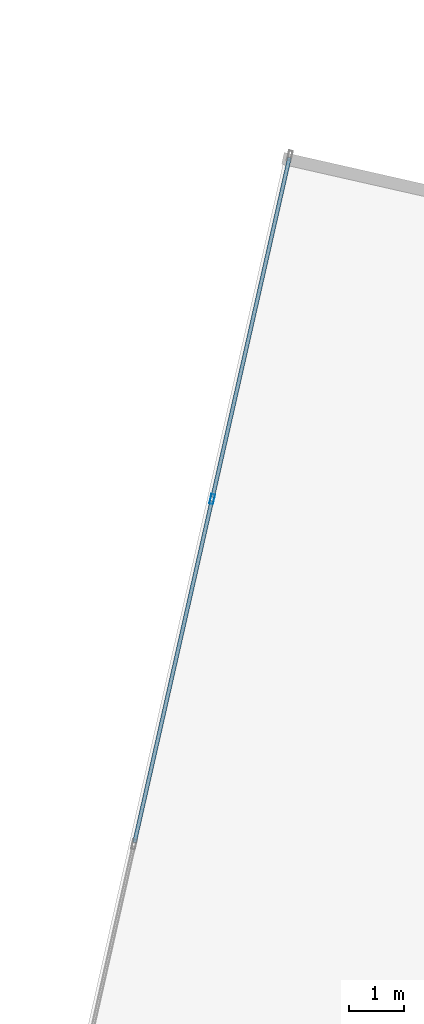
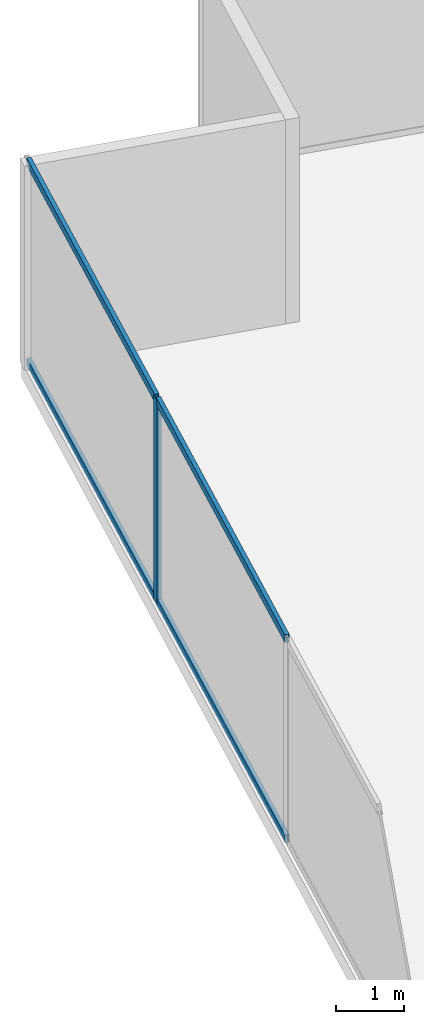
# One storey, part 15 of 26: 5 members, 1 element without a shape of its own.
"""IFC4 building model written with IfcOpenShell, lengths in metres."""

from ifc_helpers import new_model, si_unit, direction, frame, origin, origin_2d, place, context, subcontext, project, spatial, hollow_rectangle, extrude, source, transform, mapped, material, material_profile, profile_set, type_object, type_shapes, element, aggregate, save


model = new_model("IFC4")

# Units and contexts
model_context = context("Model", 3, precision=1e-05, world=origin(), true_north=direction((0.0, 1.0)))
body_context = subcontext(model_context, "Body", "Model", "MODEL_VIEW")
ifc_project = project(units=[si_unit("LENGTHUNIT", "METRE"), si_unit("AREAUNIT", "SQUARE_METRE"), si_unit("VOLUMEUNIT", "CUBIC_METRE"), si_unit("PLANEANGLEUNIT", "RADIAN"), si_unit("MASSUNIT", "GRAM", prefix="KILO")], contexts=[model_context])

# Site, building, storey
site_placement = place(None, origin())
site = spatial("IfcSite", under=ifc_project, at=site_placement, CompositionType="ELEMENT")
building_placement = place(site_placement, origin())
building = spatial("IfcBuilding", under=site, at=building_placement, Name="Krantzveldt Concourse Tower", CompositionType="ELEMENT")
storey_placement = place(building_placement, frame((0.0, 0.0, 90.050048828125)))
storey = spatial("IfcBuildingStorey", under=building, at=storey_placement, Name="L21", CompositionType="ELEMENT", Elevation=90.050048828125)

# Curtain wall, members
ifc_material = material(Name="Anodised aluminium 6063-T6", Category="aluminium")
curtain_wall_type = type_object("IfcCurtainWallType", Name="CW2", PredefinedType="USERDEFINED", material=ifc_material)
curtain_wall_placement = place(storey_placement, origin())
curtain_wall = element("IfcCurtainWall", 1, at=curtain_wall_placement, inside=storey, type_object=curtain_wall_type, Name="CW-L21-F01", ObjectType="UNITISED CURTAIN WALL", PredefinedType="USERDEFINED")
ifc_material_profile_1 = material_profile(ifc_material, hollow_rectangle(XDim=0.070068359375, YDim=0.179931640625, WallThickness=0.0048828125, at=origin_2d()), Name="Anodised aluminium 6063-T6", Category="aluminium")
ifc_profile_set_1 = profile_set([ifc_material_profile_1], Name="Anodised aluminium 6063-T6 - ALU-MULL 180x70x5")
member_type_1 = type_object("IfcMemberType", Name="CW-MUL-180", PredefinedType="MULLION", material=ifc_profile_set_1)
shared_shape_1 = source(origin(), body_context, "Body", "SweptSolid", [
    extrude(hollow_rectangle(XDim=0.070068359375, YDim=0.179931640625, WallThickness=0.0048828125, at=origin_2d()), origin(), (0.0, 0.0, 1.0), 3.669921875),
])
type_shapes(member_type_1, [shared_shape_1])
member_1_placement = place(storey_placement, frame((16.119140625, 44.458984375, 0.0), z_axis=(0.0, 0.0, 1.0), x_axis=(0.975342320609, -0.220697434579, 0.0)))
member_1 = element("IfcMember", 2, at=member_1_placement, type_object=member_type_1, Name="CW-Z12 mullion 2", PredefinedType="MULLION", context=body_context, shape_type="MappedRepresentation", body=[
    mapped(shared_shape_1, transform((0.0, 0.0, 0.0), x_axis=(1.0, 0.0, 0.0), y_axis=(0.0, 1.0, 0.0), z_axis=(0.0, 0.0, 1.0), scale=1.0)),
])
ifc_material_profile_2 = material_profile(ifc_material, hollow_rectangle(XDim=0.070068359375, YDim=0.139892578125, WallThickness=0.0048828125, at=origin_2d()), Name="Anodised aluminium 6063-T6", Category="aluminium")
ifc_profile_set_2 = profile_set([ifc_material_profile_2], Name="Anodised aluminium 6063-T6 - ALU-TRAN 140x70x5")
member_type_2 = type_object("IfcMemberType", Name="CW-TRN-150", PredefinedType="USERDEFINED", material=ifc_profile_set_2)
shared_shape_2 = source(origin(), body_context, "Body", "SweptSolid", [
    extrude(hollow_rectangle(XDim=0.070068359375, YDim=0.139892578125, WallThickness=0.0048828125, at=origin_2d()), origin(), (0.0, 0.0, 1.0), 6.361572265625),
])
member_2_placement = place(storey_placement, frame((17.53076171875, 50.69775390625, 0.034912109375), z_axis=(-0.220667229594, -0.975349154807, 0.0), x_axis=(0.975349154807, -0.220667229594, 0.0)))
member_2 = element("IfcMember", 3, at=member_2_placement, type_object=member_type_2, Name="CW-Z12 transom 1.1", ObjectType="TRANSOM", PredefinedType="USERDEFINED", context=body_context, shape_type="MappedRepresentation", body=[
    mapped(shared_shape_2, transform((0.0, 0.0, 0.0), x_axis=(1.0, 0.0, 0.0), y_axis=(0.0, 1.0, 0.0), z_axis=(0.0, 0.0, 1.0), scale=1.0)),
])
member_3_placement = place(storey_placement, frame((17.53076171875, 50.69775390625, 3.635009765625), z_axis=(-0.220667229594, -0.975349154807, 0.0), x_axis=(0.975349154807, -0.220667229594, 0.0)))
member_3 = element("IfcMember", 4, at=member_3_placement, type_object=member_type_2, Name="CW-Z12 transom 1.2", ObjectType="TRANSOM", PredefinedType="USERDEFINED", context=body_context, shape_type="MappedRepresentation", body=[
    mapped(shared_shape_2, transform((0.0, 0.0, 0.0), x_axis=(1.0, 0.0, 0.0), y_axis=(0.0, 1.0, 0.0), z_axis=(0.0, 0.0, 1.0), scale=1.0)),
])
shared_shape_3 = source(origin(), body_context, "Body", "SweptSolid", [
    extrude(hollow_rectangle(XDim=0.070068359375, YDim=0.139892578125, WallThickness=0.0048828125, at=origin_2d()), origin(), (0.0, 0.0, 1.0), 6.396728515625),
])
type_shapes(member_type_2, [shared_shape_2, shared_shape_3])
member_4_placement = place(storey_placement, frame((16.111328125, 44.4248046875, 0.034912109375), z_axis=(-0.220679058454, -0.975346478519, 0.0), x_axis=(0.975346478519, -0.220679058454, 0.0)))
member_4 = element("IfcMember", 5, at=member_4_placement, type_object=member_type_2, Name="CW-Z12 transom 2.1", ObjectType="TRANSOM", PredefinedType="USERDEFINED", context=body_context, shape_type="MappedRepresentation", body=[
    mapped(shared_shape_3, transform((0.0, 0.0, 0.0), x_axis=(1.0, 0.0, 0.0), y_axis=(0.0, 1.0, 0.0), z_axis=(0.0, 0.0, 1.0), scale=1.0)),
])
member_5_placement = place(storey_placement, frame((16.111328125, 44.4248046875, 3.635009765625), z_axis=(-0.220679058454, -0.975346478519, 0.0), x_axis=(0.975346478519, -0.220679058454, 0.0)))
member_5 = element("IfcMember", 6, at=member_5_placement, type_object=member_type_2, Name="CW-Z12 transom 2.2", ObjectType="TRANSOM", PredefinedType="USERDEFINED", context=body_context, shape_type="MappedRepresentation", body=[
    mapped(shared_shape_3, transform((0.0, 0.0, 0.0), x_axis=(1.0, 0.0, 0.0), y_axis=(0.0, 1.0, 0.0), z_axis=(0.0, 0.0, 1.0), scale=1.0)),
])
aggregate(curtain_wall, [member_1, member_2, member_3, member_4, member_5])

save(model, "model.ifc")
